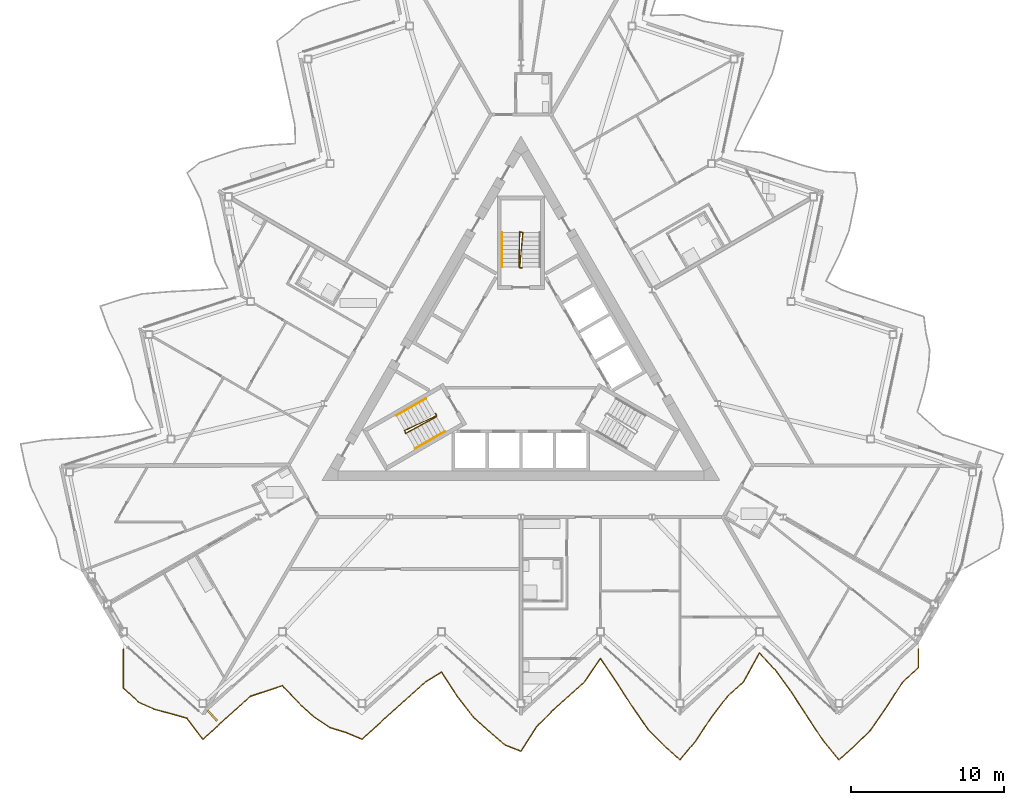
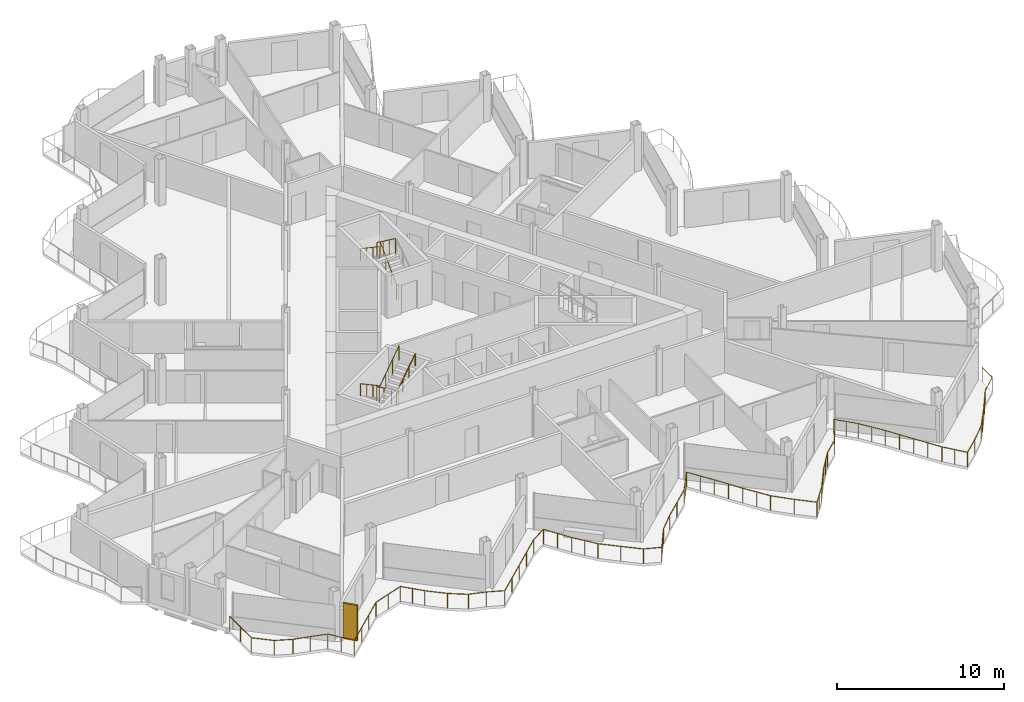
# One storey, part 21 of 26: 6 railings, 1 shading device.
"""IFC4 building model written with IfcOpenShell, lengths in metres."""

from ifc_helpers import new_model, si_unit, direction, frame, origin, origin_2d, place, context, subcontext, project, spatial, rectangle, circle, extrude, material, layer, layer_set, type_object, element, save


model = new_model("IFC4")

# Units and contexts
model_context = context("Model", 3, precision=1e-05, world=origin(), true_north=direction((0.0, 1.0)))
body_context = subcontext(model_context, "Body", "Model", "MODEL_VIEW")
ifc_project = project(units=[si_unit("LENGTHUNIT", "METRE"), si_unit("AREAUNIT", "SQUARE_METRE"), si_unit("VOLUMEUNIT", "CUBIC_METRE"), si_unit("PLANEANGLEUNIT", "RADIAN"), si_unit("MASSUNIT", "GRAM", prefix="KILO")], contexts=[model_context])

# Site, building, storey
site_placement = place(None, origin())
site = spatial("IfcSite", under=ifc_project, at=site_placement, CompositionType="ELEMENT")
building_placement = place(site_placement, origin())
building = spatial("IfcBuilding", under=site, at=building_placement, Name="Cormorant Prow Tower", CompositionType="ELEMENT")
storey_placement = place(building_placement, frame((0.0, 0.0, 364.39990234375)))
storey = spatial("IfcBuildingStorey", under=building, at=storey_placement, Name="L81", CompositionType="ELEMENT", Elevation=364.39990234375)

# Railings
ifc_material_1 = material(Name="Aluminium 6063-T6", Category="aluminium")
railing_type_1 = type_object("IfcRailingType", Name="Balcony guard 1100", PredefinedType="GUARDRAIL", material=ifc_material_1)
railing_1_placement = place(storey_placement, frame((-26.0, -18.537353515625, 0.0)))
element("IfcRailing", 1, at=railing_1_placement, inside=storey, type_object=railing_type_1, Name="Balcony guard S", PredefinedType="GUARDRAIL", context=body_context, shape_type="SweptSolid", body=[
    extrude(circle(Radius=0.02392578125, at=origin_2d()), frame((0.0, 0.0, 1.076171875), z_axis=(0.0, -1.0, 0.0), x_axis=(1.0, 0.0, 0.0)), (0.0, 0.0, 1.0), 2.570068359375),
    extrude(circle(Radius=0.02392578125, at=origin_2d()), frame((0.0, -2.570068359375, 1.076171875), z_axis=(0.743207391022, -0.669061113749, 0.0), x_axis=(0.669061113749, 0.743207391022, 0.0)), (0.0, 0.0, 1.0), 1.3994140625),
    extrude(circle(Radius=0.02392578125, at=origin_2d()), frame((1.0400390625, -3.50634765625, 1.076171875), z_axis=(0.916374427573, -0.400322255801, 0.0), x_axis=(0.400322255801, 0.916374427573, 0.0)), (0.0, 0.0, 1.0), 1.135009765625),
    extrude(circle(Radius=0.02392578125, at=origin_2d()), frame((2.080078125, -3.960693359375, 1.076171875), z_axis=(0.967634155285, -0.252357170545, 0.0), x_axis=(0.252357170545, 0.967634155285, 0.0)), (0.0, 0.0, 1.0), 1.07470703125),
    extrude(circle(Radius=0.02392578125, at=origin_2d()), frame((3.1201171875, -4.23193359375, 1.076171875), z_axis=(0.960857090041, -0.277044495555, 0.0), x_axis=(0.277044495555, 0.960857090041, 0.0)), (0.0, 0.0, 1.0), 1.082275390625),
    extrude(circle(Radius=0.02392578125, at=origin_2d()), frame((4.159912109375, -4.53173828125, 1.076171875), z_axis=(0.604554194416, -0.796564012502, 0.0), x_axis=(0.796564012502, 0.604554194416, 0.0)), (0.0, 0.0, 1.0), 1.720458984375),
    extrude(circle(Radius=0.02392578125, at=origin_2d()), frame((5.199951171875, -5.902099609375, 1.076171875), z_axis=(0.743120643554, 0.66915746213, 0.0), x_axis=(-0.66915746213, 0.743120643554, 0.0)), (0.0, 0.0, 1.0), 1.399658203125),
    extrude(circle(Radius=0.02392578125, at=origin_2d()), frame((6.239990234375, -4.965576171875, 1.076171875), z_axis=(0.743207391022, 0.669061113749, 0.0), x_axis=(-0.669061113749, 0.743207391022, 0.0)), (0.0, 0.0, 1.0), 1.3994140625),
    extrude(circle(Radius=0.02392578125, at=origin_2d()), frame((7.280029296875, -4.029296875, 1.076171875), z_axis=(0.743120643554, 0.66915746213, 0.0), x_axis=(-0.66915746213, 0.743120643554, 0.0)), (0.0, 0.0, 1.0), 1.399658203125),
    extrude(circle(Radius=0.02392578125, at=origin_2d()), frame((8.320068359375, -3.0927734375, 1.076171875), z_axis=(0.948616472905, 0.316428170891, 0.0), x_axis=(-0.316428170891, 0.948616472905, 0.0)), (0.0, 0.0, 1.0), 1.096435546875),
    extrude(circle(Radius=0.02392578125, at=origin_2d()), frame((9.360107421875, -2.745849609375, 1.076171875), z_axis=(0.949394211845, 0.314086979218, 0.0), x_axis=(-0.314086979218, 0.949394211845, 0.0)), (0.0, 0.0, 1.0), 1.09521484375),
    extrude(circle(Radius=0.02392578125, at=origin_2d()), frame((10.39990234375, -2.40185546875, 1.076171875), z_axis=(0.68554538763, -0.728029890526, 0.0), x_axis=(0.728029890526, 0.68554538763, 0.0)), (0.0, 0.0, 1.0), 1.51708984375),
    extrude(circle(Radius=0.02392578125, at=origin_2d()), frame((11.43994140625, -3.50634765625, 1.076171875), z_axis=(0.743120643554, -0.66915746213, 0.0), x_axis=(0.66915746213, 0.743120643554, 0.0)), (0.0, 0.0, 1.0), 1.399658203125),
    extrude(circle(Radius=0.02392578125, at=origin_2d()), frame((12.47998046875, -4.44287109375, 1.076171875), z_axis=(0.829344874262, -0.558737039702, 0.0), x_axis=(0.558737039702, 0.829344874262, 0.0)), (0.0, 0.0, 1.0), 1.254150390625),
    extrude(circle(Radius=0.02392578125, at=origin_2d()), frame((13.52001953125, -5.1435546875, 1.076171875), z_axis=(0.955448650181, -0.295157376441, 0.0), x_axis=(0.295157376441, 0.955448650181, 0.0)), (0.0, 0.0, 1.0), 1.088623046875),
    extrude(circle(Radius=0.02392578125, at=origin_2d()), frame((14.56005859375, -5.46484375, 1.076171875), z_axis=(0.92184298234, -0.387563563702, 0.0), x_axis=(0.387563563702, 0.92184298234, 0.0)), (0.0, 0.0, 1.0), 1.128173828125),
    extrude(circle(Radius=0.02392578125, at=origin_2d()), frame((15.60009765625, -5.902099609375, 1.076171875), z_axis=(0.74304251841, 0.669244212403, 0.0), x_axis=(-0.669244212403, 0.74304251841, 0.0)), (0.0, 0.0, 1.0), 1.3994140625),
    extrude(circle(Radius=0.02392578125, at=origin_2d()), frame((16.639892578125, -4.965576171875, 1.076171875), z_axis=(0.743207391022, 0.669061113749, 0.0), x_axis=(-0.669061113749, 0.743207391022, 0.0)), (0.0, 0.0, 1.0), 1.3994140625),
    extrude(circle(Radius=0.02392578125, at=origin_2d()), frame((17.679931640625, -4.029296875, 1.076171875), z_axis=(0.743120643554, 0.66915746213, 0.0), x_axis=(-0.66915746213, 0.743120643554, 0.0)), (0.0, 0.0, 1.0), 1.399658203125),
    extrude(circle(Radius=0.02392578125, at=origin_2d()), frame((18.719970703125, -3.0927734375, 1.076171875), z_axis=(0.743207391022, 0.669061113749, 0.0), x_axis=(-0.669061113749, 0.743207391022, 0.0)), (0.0, 0.0, 1.0), 1.3994140625),
    extrude(circle(Radius=0.02392578125, at=origin_2d()), frame((19.760009765625, -2.156494140625, 1.076171875), z_axis=(0.850992323879, 0.525178126638, 0.0), x_axis=(-0.525178126638, 0.850992323879, 0.0)), (0.0, 0.0, 1.0), 1.22216796875),
    extrude(circle(Radius=0.02392578125, at=origin_2d()), frame((20.800048828125, -1.5146484375, 1.076171875), z_axis=(0.547384374412, -0.836881321724, 0.0), x_axis=(0.836881321724, 0.547384374412, 0.0)), (0.0, 0.0, 1.0), 1.89990234375),
    extrude(circle(Radius=0.02392578125, at=origin_2d()), frame((21.840087890625, -3.104736328125, 1.076171875), z_axis=(0.613581490625, -0.789631404113, 0.0), x_axis=(0.789631404113, 0.613581490625, 0.0)), (0.0, 0.0, 1.0), 1.694580078125),
    extrude(circle(Radius=0.02392578125, at=origin_2d()), frame((22.8798828125, -4.44287109375, 1.076171875), z_axis=(0.743207391022, -0.669061113749, 0.0), x_axis=(0.669061113749, 0.743207391022, 0.0)), (0.0, 0.0, 1.0), 1.3994140625),
    extrude(circle(Radius=0.02392578125, at=origin_2d()), frame((23.919921875, -5.379150390625, 1.076171875), z_axis=(0.755601290765, -0.655031823192, 0.0), x_axis=(0.655031823192, 0.755601290765, 0.0)), (0.0, 0.0, 1.0), 1.37646484375),
    extrude(circle(Radius=0.02392578125, at=origin_2d()), frame((24.9599609375, -6.28076171875, 1.076171875), z_axis=(0.931610131037, -0.363459163799, 0.0), x_axis=(0.363459163799, 0.931610131037, 0.0)), (0.0, 0.0, 1.0), 1.116455078125),
    extrude(circle(Radius=0.02392578125, at=origin_2d()), frame((26.0, -6.6865234375, 1.076171875), z_axis=(0.54270708982, 0.839922028916, 0.0), x_axis=(-0.839922028916, 0.54270708982, 0.0)), (0.0, 0.0, 1.0), 1.91650390625),
    extrude(circle(Radius=0.02392578125, at=origin_2d()), frame((27.0400390625, -5.076904296875, 1.076171875), z_axis=(0.704538672228, 0.709665596838, 0.0), x_axis=(-0.709665596838, 0.704538672228, 0.0)), (0.0, 0.0, 1.0), 1.476318359375),
    extrude(circle(Radius=0.02392578125, at=origin_2d()), frame((28.080078125, -4.029296875, 1.076171875), z_axis=(0.743120643554, 0.66915746213, 0.0), x_axis=(-0.66915746213, 0.743120643554, 0.0)), (0.0, 0.0, 1.0), 1.399658203125),
    extrude(circle(Radius=0.02392578125, at=origin_2d()), frame((29.1201171875, -3.0927734375, 1.076171875), z_axis=(0.743129279254, 0.669147871786, 0.0), x_axis=(-0.669147871786, 0.743129279254, 0.0)), (0.0, 0.0, 1.0), 1.399169921875),
    extrude(circle(Radius=0.02392578125, at=origin_2d()), frame((30.159912109375, -2.156494140625, 1.076171875), z_axis=(0.563152221861, 0.826353178135, 0.0), x_axis=(-0.826353178135, 0.563152221861, 0.0)), (0.0, 0.0, 1.0), 1.846923828125),
    extrude(circle(Radius=0.02392578125, at=origin_2d()), frame((31.199951171875, -0.63037109375, 1.076171875), z_axis=(0.563152221861, -0.826353178135, 0.0), x_axis=(0.826353178135, 0.563152221861, 0.0)), (0.0, 0.0, 1.0), 1.846923828125),
    extrude(circle(Radius=0.02392578125, at=origin_2d()), frame((32.239990234375, -2.156494140625, 1.076171875), z_axis=(0.541547631663, -0.840670067649, 0.0), x_axis=(0.840670067649, 0.541547631663, 0.0)), (0.0, 0.0, 1.0), 1.92041015625),
    extrude(circle(Radius=0.02392578125, at=origin_2d()), frame((33.280029296875, -3.77099609375, 1.076171875), z_axis=(0.569043261498, -0.822307586334, 0.0), x_axis=(0.822307586334, 0.569043261498, 0.0)), (0.0, 0.0, 1.0), 1.82763671875),
    extrude(circle(Radius=0.02392578125, at=origin_2d()), frame((34.320068359375, -5.27392578125, 1.076171875), z_axis=(0.706526063762, -0.707687022083, 0.0), x_axis=(0.707687022083, 0.706526063762, 0.0)), (0.0, 0.0, 1.0), 1.47216796875),
    extrude(circle(Radius=0.02392578125, at=origin_2d()), frame((35.360107421875, -6.315673828125, 1.076171875), z_axis=(0.743129279254, -0.669147871786, 0.0), x_axis=(0.669147871786, 0.743129279254, 0.0)), (0.0, 0.0, 1.0), 1.399169921875),
    extrude(circle(Radius=0.02392578125, at=origin_2d()), frame((36.39990234375, -7.251953125, 1.076171875), z_axis=(0.641442431964, 0.767171171562, 0.0), x_axis=(-0.767171171562, 0.641442431964, 0.0)), (0.0, 0.0, 1.0), 1.621337890625),
    extrude(circle(Radius=0.02392578125, at=origin_2d()), frame((37.43994140625, -6.008056640625, 1.076171875), z_axis=(0.552065689111, 0.833800620596, 0.0), x_axis=(-0.833800620596, 0.552065689111, 0.0)), (0.0, 0.0, 1.0), 1.8837890625),
    extrude(circle(Radius=0.02392578125, at=origin_2d()), frame((38.47998046875, -4.437255859375, 1.076171875), z_axis=(0.611860282044, 0.790965862258, 0.0), x_axis=(-0.790965862258, 0.611860282044, 0.0)), (0.0, 0.0, 1.0), 1.69970703125),
    extrude(circle(Radius=0.02392578125, at=origin_2d()), frame((39.52001953125, -3.0927734375, 1.076171875), z_axis=(0.743207391022, 0.669061113749, 0.0), x_axis=(-0.669061113749, 0.743207391022, 0.0)), (0.0, 0.0, 1.0), 1.3994140625),
    extrude(circle(Radius=0.02392578125, at=origin_2d()), frame((40.56005859375, -2.156494140625, 1.076171875), z_axis=(0.48280168143, 0.875729716527, 0.0), x_axis=(-0.875729716527, 0.48280168143, 0.0)), (0.0, 0.0, 1.0), 2.154052734375),
    extrude(circle(Radius=0.02392578125, at=origin_2d()), frame((41.60009765625, -0.27001953125, 1.076171875), z_axis=(0.682015798923, -0.73133743923, 0.0), x_axis=(0.73133743923, 0.682015798923, 0.0)), (0.0, 0.0, 1.0), 1.524658203125),
    extrude(circle(Radius=0.02392578125, at=origin_2d()), frame((42.639892578125, -1.385009765625, 1.076171875), z_axis=(0.588073196089, -0.80880771265, 0.0), x_axis=(0.80880771265, 0.588073196089, 0.0)), (0.0, 0.0, 1.0), 1.7685546875),
    extrude(circle(Radius=0.02392578125, at=origin_2d()), frame((43.679931640625, -2.8154296875, 1.076171875), z_axis=(0.54486246552, -0.838525428158, 0.0), x_axis=(0.838525428158, 0.54486246552, 0.0)), (0.0, 0.0, 1.0), 1.90869140625),
    extrude(circle(Radius=0.02392578125, at=origin_2d()), frame((44.719970703125, -4.416015625, 1.076171875), z_axis=(0.551053037162, -0.834470221299, 0.0), x_axis=(0.834470221299, 0.551053037162, 0.0)), (0.0, 0.0, 1.0), 1.887451171875),
    extrude(circle(Radius=0.02392578125, at=origin_2d()), frame((45.760009765625, -5.990966796875, 1.076171875), z_axis=(0.636282967316, -0.771455757321, 0.0), x_axis=(0.771455757321, 0.636282967316, 0.0)), (0.0, 0.0, 1.0), 1.634521484375),
    extrude(circle(Radius=0.02392578125, at=origin_2d()), frame((46.800048828125, -7.251953125, 1.076171875), z_axis=(0.743207391022, 0.669061113749, 0.0), x_axis=(-0.669061113749, 0.743207391022, 0.0)), (0.0, 0.0, 1.0), 1.3994140625),
    extrude(circle(Radius=0.02392578125, at=origin_2d()), frame((47.840087890625, -6.315673828125, 1.076171875), z_axis=(0.711186061017, 0.703003831153, 0.0), x_axis=(-0.703003831153, 0.711186061017, 0.0)), (0.0, 0.0, 1.0), 1.462158203125),
    extrude(circle(Radius=0.02392578125, at=origin_2d()), frame((48.8798828125, -5.287841796875, 1.076171875), z_axis=(0.570671927057, 0.821178148558, 0.0), x_axis=(-0.821178148558, 0.570671927057, 0.0)), (0.0, 0.0, 1.0), 1.822509765625),
    extrude(circle(Radius=0.02392578125, at=origin_2d()), frame((49.919921875, -3.791259765625, 1.076171875), z_axis=(0.541663400819, 0.840595479534, 0.0), x_axis=(-0.840595479534, 0.541663400819, 0.0)), (0.0, 0.0, 1.0), 1.920166015625),
    extrude(circle(Radius=0.02392578125, at=origin_2d()), frame((50.9599609375, -2.17724609375, 1.076171875), z_axis=(0.735776085654, 0.677224890106, 0.0), x_axis=(-0.677224890106, 0.735776085654, 0.0)), (0.0, 0.0, 1.0), 1.41357421875),
    extrude(circle(Radius=0.02392578125, at=origin_2d()), frame((52.0, -1.219970703125, 1.076171875), z_axis=(0.0, 1.0, 0.0), x_axis=(-1.0, 0.0, 0.0)), (0.0, 0.0, 1.0), 1.219970703125),
    extrude(circle(Radius=0.02099609375, at=origin_2d()), origin(), (0.0, 0.0, 1.0), 1.052001953125),
    extrude(circle(Radius=0.02099609375, at=origin_2d()), frame((0.0, -1.28515625, 0.0)), (0.0, 0.0, 1.0), 1.052001953125),
    extrude(circle(Radius=0.02099609375, at=origin_2d()), frame((0.0, -2.570068359375, 0.0)), (0.0, 0.0, 1.0), 1.052001953125),
    extrude(circle(Radius=0.02099609375, at=origin_2d()), frame((1.0400390625, -3.50634765625, 0.0)), (0.0, 0.0, 1.0), 1.052001953125),
    extrude(circle(Radius=0.02099609375, at=origin_2d()), frame((2.080078125, -3.960693359375, 0.0)), (0.0, 0.0, 1.0), 1.052001953125),
    extrude(circle(Radius=0.02099609375, at=origin_2d()), frame((3.1201171875, -4.23193359375, 0.0)), (0.0, 0.0, 1.0), 1.052001953125),
    extrude(circle(Radius=0.02099609375, at=origin_2d()), frame((4.159912109375, -4.53173828125, 0.0)), (0.0, 0.0, 1.0), 1.052001953125),
    extrude(circle(Radius=0.02099609375, at=origin_2d()), frame((4.679931640625, -5.216796875, 0.0)), (0.0, 0.0, 1.0), 1.052001953125),
    extrude(circle(Radius=0.02099609375, at=origin_2d()), frame((5.199951171875, -5.902099609375, 0.0)), (0.0, 0.0, 1.0), 1.052001953125),
    extrude(circle(Radius=0.02099609375, at=origin_2d()), frame((6.239990234375, -4.965576171875, 0.0)), (0.0, 0.0, 1.0), 1.052001953125),
    extrude(circle(Radius=0.02099609375, at=origin_2d()), frame((7.280029296875, -4.029296875, 0.0)), (0.0, 0.0, 1.0), 1.052001953125),
    extrude(circle(Radius=0.02099609375, at=origin_2d()), frame((8.320068359375, -3.0927734375, 0.0)), (0.0, 0.0, 1.0), 1.052001953125),
    extrude(circle(Radius=0.02099609375, at=origin_2d()), frame((9.360107421875, -2.745849609375, 0.0)), (0.0, 0.0, 1.0), 1.052001953125),
    extrude(circle(Radius=0.02099609375, at=origin_2d()), frame((10.39990234375, -2.40185546875, 0.0)), (0.0, 0.0, 1.0), 1.052001953125),
    extrude(circle(Radius=0.02099609375, at=origin_2d()), frame((10.919921875, -2.9541015625, 0.0)), (0.0, 0.0, 1.0), 1.052001953125),
    extrude(circle(Radius=0.02099609375, at=origin_2d()), frame((11.43994140625, -3.50634765625, 0.0)), (0.0, 0.0, 1.0), 1.052001953125),
    extrude(circle(Radius=0.02099609375, at=origin_2d()), frame((12.47998046875, -4.44287109375, 0.0)), (0.0, 0.0, 1.0), 1.052001953125),
    extrude(circle(Radius=0.02099609375, at=origin_2d()), frame((13.52001953125, -5.1435546875, 0.0)), (0.0, 0.0, 1.0), 1.052001953125),
    extrude(circle(Radius=0.02099609375, at=origin_2d()), frame((14.56005859375, -5.46484375, 0.0)), (0.0, 0.0, 1.0), 1.052001953125),
    extrude(circle(Radius=0.02099609375, at=origin_2d()), frame((15.60009765625, -5.902099609375, 0.0)), (0.0, 0.0, 1.0), 1.052001953125),
    extrude(circle(Radius=0.02099609375, at=origin_2d()), frame((16.639892578125, -4.965576171875, 0.0)), (0.0, 0.0, 1.0), 1.052001953125),
    extrude(circle(Radius=0.02099609375, at=origin_2d()), frame((17.679931640625, -4.029296875, 0.0)), (0.0, 0.0, 1.0), 1.052001953125),
    extrude(circle(Radius=0.02099609375, at=origin_2d()), frame((18.719970703125, -3.0927734375, 0.0)), (0.0, 0.0, 1.0), 1.052001953125),
    extrude(circle(Radius=0.02099609375, at=origin_2d()), frame((19.760009765625, -2.156494140625, 0.0)), (0.0, 0.0, 1.0), 1.052001953125),
    extrude(circle(Radius=0.02099609375, at=origin_2d()), frame((20.800048828125, -1.5146484375, 0.0)), (0.0, 0.0, 1.0), 1.052001953125),
    extrude(circle(Radius=0.02099609375, at=origin_2d()), frame((21.320068359375, -2.3095703125, 0.0)), (0.0, 0.0, 1.0), 1.052001953125),
    extrude(circle(Radius=0.02099609375, at=origin_2d()), frame((21.840087890625, -3.104736328125, 0.0)), (0.0, 0.0, 1.0), 1.052001953125),
    extrude(circle(Radius=0.02099609375, at=origin_2d()), frame((22.35986328125, -3.77392578125, 0.0)), (0.0, 0.0, 1.0), 1.052001953125),
    extrude(circle(Radius=0.02099609375, at=origin_2d()), frame((22.8798828125, -4.44287109375, 0.0)), (0.0, 0.0, 1.0), 1.052001953125),
    extrude(circle(Radius=0.02099609375, at=origin_2d()), frame((23.919921875, -5.379150390625, 0.0)), (0.0, 0.0, 1.0), 1.052001953125),
    extrude(circle(Radius=0.02099609375, at=origin_2d()), frame((24.9599609375, -6.28076171875, 0.0)), (0.0, 0.0, 1.0), 1.052001953125),
    extrude(circle(Radius=0.02099609375, at=origin_2d()), frame((26.0, -6.6865234375, 0.0)), (0.0, 0.0, 1.0), 1.052001953125),
    extrude(circle(Radius=0.02099609375, at=origin_2d()), frame((26.52001953125, -5.8818359375, 0.0)), (0.0, 0.0, 1.0), 1.052001953125),
    extrude(circle(Radius=0.02099609375, at=origin_2d()), frame((27.0400390625, -5.076904296875, 0.0)), (0.0, 0.0, 1.0), 1.052001953125),
    extrude(circle(Radius=0.02099609375, at=origin_2d()), frame((28.080078125, -4.029296875, 0.0)), (0.0, 0.0, 1.0), 1.052001953125),
    extrude(circle(Radius=0.02099609375, at=origin_2d()), frame((29.1201171875, -3.0927734375, 0.0)), (0.0, 0.0, 1.0), 1.052001953125),
    extrude(circle(Radius=0.02099609375, at=origin_2d()), frame((30.159912109375, -2.156494140625, 0.0)), (0.0, 0.0, 1.0), 1.052001953125),
    extrude(circle(Radius=0.02099609375, at=origin_2d()), frame((30.679931640625, -1.3935546875, 0.0)), (0.0, 0.0, 1.0), 1.052001953125),
    extrude(circle(Radius=0.02099609375, at=origin_2d()), frame((31.199951171875, -0.63037109375, 0.0)), (0.0, 0.0, 1.0), 1.052001953125),
    extrude(circle(Radius=0.02099609375, at=origin_2d()), frame((31.719970703125, -1.3935546875, 0.0)), (0.0, 0.0, 1.0), 1.052001953125),
    extrude(circle(Radius=0.02099609375, at=origin_2d()), frame((32.239990234375, -2.156494140625, 0.0)), (0.0, 0.0, 1.0), 1.052001953125),
    extrude(circle(Radius=0.02099609375, at=origin_2d()), frame((32.760009765625, -2.9638671875, 0.0)), (0.0, 0.0, 1.0), 1.052001953125),
    extrude(circle(Radius=0.02099609375, at=origin_2d()), frame((33.280029296875, -3.77099609375, 0.0)), (0.0, 0.0, 1.0), 1.052001953125),
    extrude(circle(Radius=0.02099609375, at=origin_2d()), frame((33.800048828125, -4.5224609375, 0.0)), (0.0, 0.0, 1.0), 1.052001953125),
    extrude(circle(Radius=0.02099609375, at=origin_2d()), frame((34.320068359375, -5.27392578125, 0.0)), (0.0, 0.0, 1.0), 1.052001953125),
    extrude(circle(Radius=0.02099609375, at=origin_2d()), frame((35.360107421875, -6.315673828125, 0.0)), (0.0, 0.0, 1.0), 1.052001953125),
    extrude(circle(Radius=0.02099609375, at=origin_2d()), frame((36.39990234375, -7.251953125, 0.0)), (0.0, 0.0, 1.0), 1.052001953125),
    extrude(circle(Radius=0.02099609375, at=origin_2d()), frame((36.919921875, -6.6298828125, 0.0)), (0.0, 0.0, 1.0), 1.052001953125),
    extrude(circle(Radius=0.02099609375, at=origin_2d()), frame((37.43994140625, -6.008056640625, 0.0)), (0.0, 0.0, 1.0), 1.052001953125),
    extrude(circle(Radius=0.02099609375, at=origin_2d()), frame((37.9599609375, -5.22265625, 0.0)), (0.0, 0.0, 1.0), 1.052001953125),
    extrude(circle(Radius=0.02099609375, at=origin_2d()), frame((38.47998046875, -4.437255859375, 0.0)), (0.0, 0.0, 1.0), 1.052001953125),
    extrude(circle(Radius=0.02099609375, at=origin_2d()), frame((39.0, -3.76513671875, 0.0)), (0.0, 0.0, 1.0), 1.052001953125),
    extrude(circle(Radius=0.02099609375, at=origin_2d()), frame((39.52001953125, -3.0927734375, 0.0)), (0.0, 0.0, 1.0), 1.052001953125),
    extrude(circle(Radius=0.02099609375, at=origin_2d()), frame((40.56005859375, -2.156494140625, 0.0)), (0.0, 0.0, 1.0), 1.052001953125),
    extrude(circle(Radius=0.02099609375, at=origin_2d()), frame((41.080078125, -1.21337890625, 0.0)), (0.0, 0.0, 1.0), 1.052001953125),
    extrude(circle(Radius=0.02099609375, at=origin_2d()), frame((41.60009765625, -0.27001953125, 0.0)), (0.0, 0.0, 1.0), 1.052001953125),
    extrude(circle(Radius=0.02099609375, at=origin_2d()), frame((42.1201171875, -0.82763671875, 0.0)), (0.0, 0.0, 1.0), 1.052001953125),
    extrude(circle(Radius=0.02099609375, at=origin_2d()), frame((42.639892578125, -1.385009765625, 0.0)), (0.0, 0.0, 1.0), 1.052001953125),
    extrude(circle(Radius=0.02099609375, at=origin_2d()), frame((43.159912109375, -2.10009765625, 0.0)), (0.0, 0.0, 1.0), 1.052001953125),
    extrude(circle(Radius=0.02099609375, at=origin_2d()), frame((43.679931640625, -2.8154296875, 0.0)), (0.0, 0.0, 1.0), 1.052001953125),
    extrude(circle(Radius=0.02099609375, at=origin_2d()), frame((44.199951171875, -3.61572265625, 0.0)), (0.0, 0.0, 1.0), 1.052001953125),
    extrude(circle(Radius=0.02099609375, at=origin_2d()), frame((44.719970703125, -4.416015625, 0.0)), (0.0, 0.0, 1.0), 1.052001953125),
    extrude(circle(Radius=0.02099609375, at=origin_2d()), frame((45.239990234375, -5.20361328125, 0.0)), (0.0, 0.0, 1.0), 1.052001953125),
    extrude(circle(Radius=0.02099609375, at=origin_2d()), frame((45.760009765625, -5.990966796875, 0.0)), (0.0, 0.0, 1.0), 1.052001953125),
    extrude(circle(Radius=0.02099609375, at=origin_2d()), frame((46.280029296875, -6.62158203125, 0.0)), (0.0, 0.0, 1.0), 1.052001953125),
    extrude(circle(Radius=0.02099609375, at=origin_2d()), frame((46.800048828125, -7.251953125, 0.0)), (0.0, 0.0, 1.0), 1.052001953125),
    extrude(circle(Radius=0.02099609375, at=origin_2d()), frame((47.840087890625, -6.315673828125, 0.0)), (0.0, 0.0, 1.0), 1.052001953125),
    extrude(circle(Radius=0.02099609375, at=origin_2d()), frame((48.8798828125, -5.287841796875, 0.0)), (0.0, 0.0, 1.0), 1.052001953125),
    extrude(circle(Radius=0.02099609375, at=origin_2d()), frame((49.39990234375, -4.53955078125, 0.0)), (0.0, 0.0, 1.0), 1.052001953125),
    extrude(circle(Radius=0.02099609375, at=origin_2d()), frame((49.919921875, -3.791259765625, 0.0)), (0.0, 0.0, 1.0), 1.052001953125),
    extrude(circle(Radius=0.02099609375, at=origin_2d()), frame((50.43994140625, -2.984375, 0.0)), (0.0, 0.0, 1.0), 1.052001953125),
    extrude(circle(Radius=0.02099609375, at=origin_2d()), frame((50.9599609375, -2.17724609375, 0.0)), (0.0, 0.0, 1.0), 1.052001953125),
    extrude(circle(Radius=0.02099609375, at=origin_2d()), frame((52.0, -1.219970703125, 0.0)), (0.0, 0.0, 1.0), 1.052001953125),
    extrude(circle(Radius=0.02099609375, at=origin_2d()), frame((52.0, 0.0, 0.0)), (0.0, 0.0, 1.0), 1.052001953125),
])
ifc_material_2 = material(Name="Stainless steel", Category="steel")
railing_type_2 = type_object("IfcRailingType", Name="Stair guard 1100", PredefinedType="GUARDRAIL", material=ifc_material_2)
railing_2_placement = place(storey_placement, frame((-5.585205078125, -3.137939453125, 0.0)))
element("IfcRailing", 2, at=railing_2_placement, inside=storey, type_object=railing_type_2, Name="L81 ST1 stair guard 1", PredefinedType="GUARDRAIL", context=body_context, shape_type="SweptSolid", body=[
    extrude(circle(Radius=0.02392578125, at=origin_2d()), frame((0.0, 0.0, 1.076171875), z_axis=(0.501036270542, -0.865426285481, 0.0), x_axis=(0.865426285481, 0.501036270542, 0.0)), (0.0, 0.0, 1.0), 0.150146484375),
    extrude(circle(Radius=0.02392578125, at=origin_2d()), frame((0.0751953125, -0.1298828125, 1.076171875), z_axis=(-0.728604041492, -0.3399241403, 0.594632432316), x_axis=(0.422792438952, -0.906226546491, 0.0)), (0.0, 0.0, 1.0), 2.859130859375),
    extrude(circle(Radius=0.02392578125, at=origin_2d()), frame((-2.008056640625, -1.101806640625, 2.7763671875), z_axis=(0.275034262293, -0.961434425515, 0.0), x_axis=(0.961434425515, 0.275034262293, 0.0)), (0.0, 0.0, 1.0), 0.2060546875),
    extrude(circle(Radius=0.02392578125, at=origin_2d()), frame((-1.951416015625, -1.2998046875, 2.7763671875), z_axis=(0.704058451865, 0.386179398835, 0.595959032378), x_axis=(-0.480911908544, 0.87676891837, 0.0)), (0.0, 0.0, 1.0), 2.8525390625),
    extrude(circle(Radius=0.02099609375, at=origin_2d()), origin(), (0.0, 0.0, 1.0), 1.052001953125),
    extrude(circle(Radius=0.02099609375, at=origin_2d()), frame((0.0751953125, -0.1298828125, 0.0)), (0.0, 0.0, 1.0), 1.052001953125),
    extrude(circle(Radius=0.02099609375, at=origin_2d()), frame((-0.619140625, -0.453857421875, 0.566650390625)), (0.0, 0.0, 1.0), 1.052001953125),
    extrude(circle(Radius=0.02099609375, at=origin_2d()), frame((-1.313720703125, -0.77783203125, 1.133544921875)), (0.0, 0.0, 1.0), 1.052001953125),
    extrude(circle(Radius=0.02099609375, at=origin_2d()), frame((-2.008056640625, -1.101806640625, 1.7001953125)), (0.0, 0.0, 1.0), 1.052001953125),
    extrude(circle(Radius=0.02099609375, at=origin_2d()), frame((-1.951416015625, -1.2998046875, 1.7001953125)), (0.0, 0.0, 1.0), 1.052001953125),
    extrude(circle(Radius=0.02099609375, at=origin_2d()), frame((-1.281982421875, -0.9326171875, 2.266845703125)), (0.0, 0.0, 1.0), 1.052001953125),
    extrude(circle(Radius=0.02099609375, at=origin_2d()), frame((-0.612548828125, -0.5654296875, 2.83349609375)), (0.0, 0.0, 1.0), 1.052001953125),
    extrude(circle(Radius=0.02099609375, at=origin_2d()), frame((0.056884765625, -0.1982421875, 3.400146484375)), (0.0, 0.0, 1.0), 1.052001953125),
])
railing_3_placement = place(storey_placement, frame((0.074951171875, 6.40576171875, 0.0)))
element("IfcRailing", 3, at=railing_3_placement, inside=storey, type_object=railing_type_2, Name="L81 ST3 stair guard 1", PredefinedType="GUARDRAIL", context=body_context, shape_type="SweptSolid", body=[
    extrude(circle(Radius=0.02392578125, at=origin_2d()), frame((0.0, 0.0, 1.076171875), z_axis=(-1.0, 0.0, 0.0), x_axis=(0.0, -1.0, 0.0)), (0.0, 0.0, 1.0), 0.14990234375),
    extrude(circle(Radius=0.02392578125, at=origin_2d()), frame((-0.14990234375, 0.0, 1.076171875), z_axis=(0.069932991402, 0.800941952812, 0.594643897589), x_axis=(-0.996209839609, 0.086982500921, 0.0)), (0.0, 0.0, 1.0), 2.859130859375),
    extrude(circle(Radius=0.02392578125, at=origin_2d()), frame((0.050048828125, 2.2900390625, 2.7763671875), z_axis=(-0.970072785993, 0.242814311512, 0.0), x_axis=(-0.242814311512, -0.970072785993, 0.0)), (0.0, 0.0, 1.0), 0.2060546875),
    extrude(circle(Radius=0.02392578125, at=origin_2d()), frame((-0.14990234375, 2.340087890625, 2.7763671875), z_axis=(-0.017545750742, -0.80282508275, 0.595956402045), x_axis=(0.999761264773, -0.0218497931, 0.0)), (0.0, 0.0, 1.0), 2.8525390625),
    extrude(circle(Radius=0.02099609375, at=origin_2d()), origin(), (0.0, 0.0, 1.0), 1.052001953125),
    extrude(circle(Radius=0.02099609375, at=origin_2d()), frame((-0.14990234375, 0.0, 0.0)), (0.0, 0.0, 1.0), 1.052001953125),
    extrude(circle(Radius=0.02099609375, at=origin_2d()), frame((-0.083251953125, 0.763427734375, 0.566650390625)), (0.0, 0.0, 1.0), 1.052001953125),
    extrude(circle(Radius=0.02099609375, at=origin_2d()), frame((-0.0166015625, 1.526611328125, 1.133544921875)), (0.0, 0.0, 1.0), 1.052001953125),
    extrude(circle(Radius=0.02099609375, at=origin_2d()), frame((0.050048828125, 2.2900390625, 1.7001953125)), (0.0, 0.0, 1.0), 1.052001953125),
    extrude(circle(Radius=0.02099609375, at=origin_2d()), frame((-0.14990234375, 2.340087890625, 1.7001953125)), (0.0, 0.0, 1.0), 1.052001953125),
    extrude(circle(Radius=0.02099609375, at=origin_2d()), frame((-0.16650390625, 1.57666015625, 2.266845703125)), (0.0, 0.0, 1.0), 1.052001953125),
    extrude(circle(Radius=0.02099609375, at=origin_2d()), frame((-0.183349609375, 0.8134765625, 2.83349609375)), (0.0, 0.0, 1.0), 1.052001953125),
    extrude(circle(Radius=0.02099609375, at=origin_2d()), frame((-0.199951171875, 0.050048828125, 3.400146484375)), (0.0, 0.0, 1.0), 1.052001953125),
])
ifc_material_3 = material(Name="Stainless steel", Category="steel")
railing_type_3 = type_object("IfcRailingType", Name="Stair handrail 900", PredefinedType="HANDRAIL", material=ifc_material_3)
railing_4_placement = place(storey_placement, frame((-6.212890625, -2.150634765625, 0.18896484375)))
element("IfcRailing", 4, at=railing_4_placement, inside=storey, type_object=railing_type_3, Name="L81 ST1 stair handrail 1", PredefinedType="HANDRAIL", context=body_context, shape_type="SweptSolid", body=[
    extrude(circle(Radius=0.02392578125, at=origin_2d()), frame((0.0, 0.0, 0.8759765625), z_axis=(-0.717940317343, -0.414446543626, 0.55928147047), x_axis=(0.49994888933, -0.866054910533, 0.0)), (0.0, 0.0, 1.0), 2.7021484375),
    extrude(circle(Radius=0.02099609375, at=origin_2d()), origin(), (0.0, 0.0, 1.0), 0.851806640625),
    extrude(circle(Radius=0.02099609375, at=origin_2d()), frame((-0.646728515625, -0.373291015625, 0.503662109375)), (0.0, 0.0, 1.0), 0.851806640625),
    extrude(circle(Radius=0.02099609375, at=origin_2d()), frame((-1.293212890625, -0.74658203125, 1.007568359375)), (0.0, 0.0, 1.0), 0.851806640625),
    extrude(circle(Radius=0.02099609375, at=origin_2d()), frame((-1.93994140625, -1.119873046875, 1.51123046875)), (0.0, 0.0, 1.0), 0.851806640625),
])
railing_5_placement = place(storey_placement, frame((-6.90869140625, -5.42529296875, 1.888916015625)))
element("IfcRailing", 5, at=railing_5_placement, inside=storey, type_object=railing_type_3, Name="L81 ST1 stair handrail 2", PredefinedType="HANDRAIL", context=body_context, shape_type="SweptSolid", body=[
    extrude(circle(Radius=0.02392578125, at=origin_2d()), frame((0.0, 0.0, 0.8759765625), z_axis=(0.717869644322, 0.414548260308, 0.559296802813), x_axis=(-0.500077830873, 0.865980463445, 0.0)), (0.0, 0.0, 1.0), 2.701904296875),
    extrude(circle(Radius=0.02099609375, at=origin_2d()), origin(), (0.0, 0.0, 1.0), 0.851806640625),
    extrude(circle(Radius=0.02099609375, at=origin_2d()), frame((0.646484375, 0.373291015625, 0.503662109375)), (0.0, 0.0, 1.0), 0.851806640625),
    extrude(circle(Radius=0.02099609375, at=origin_2d()), frame((1.293212890625, 0.746826171875, 1.007568359375)), (0.0, 0.0, 1.0), 0.851806640625),
    extrude(circle(Radius=0.02099609375, at=origin_2d()), frame((1.939697265625, 1.1201171875, 1.51123046875)), (0.0, 0.0, 1.0), 0.851806640625),
])
railing_6_placement = place(storey_placement, frame((-1.243896484375, 8.69580078125, 1.888916015625)))
element("IfcRailing", 6, at=railing_6_placement, inside=storey, type_object=railing_type_3, Name="L81 ST3 stair handrail 2", PredefinedType="HANDRAIL", context=body_context, shape_type="SweptSolid", body=[
    extrude(circle(Radius=0.02392578125, at=origin_2d()), frame((0.0, 0.0, 0.8759765625), z_axis=(0.0, -0.828979582247, 0.559278868023), x_axis=(1.0, 0.0, 0.0)), (0.0, 0.0, 1.0), 2.7021484375),
    extrude(circle(Radius=0.02099609375, at=origin_2d()), origin(), (0.0, 0.0, 1.0), 0.851806640625),
    extrude(circle(Radius=0.02099609375, at=origin_2d()), frame((0.0, -0.74658203125, 0.503662109375)), (0.0, 0.0, 1.0), 0.851806640625),
    extrude(circle(Radius=0.02099609375, at=origin_2d()), frame((0.0, -1.493408203125, 1.007568359375)), (0.0, 0.0, 1.0), 0.851806640625),
    extrude(circle(Radius=0.02099609375, at=origin_2d()), frame((0.0, -2.239990234375, 1.51123046875)), (0.0, 0.0, 1.0), 0.851806640625),
])

# Shading device
ifc_material_4 = material(Name="Terracotta", Category="masonry")
ifc_layer = layer(ifc_material_4, 0.1201171875)
ifc_layer_set = layer_set([ifc_layer], Name="Terracotta")
shading_device_type = type_object("IfcShadingDeviceType", Name="Terracotta baguette fin 120x900x2600", PredefinedType="USERDEFINED", material=ifc_layer_set)
shading_device_placement = place(storey_placement, frame((-20.182373046875, -22.888916015625, 0.0), z_axis=(0.0, 0.0, 1.0), x_axis=(0.743144756574, 0.669130682884, 0.0)))
element("IfcShadingDevice", 7, at=shading_device_placement, inside=storey, type_object=shading_device_type, Name="Baguette fin S01", ObjectType="BAGUETTE", PredefinedType="USERDEFINED", context=body_context, shape_type="SweptSolid", body=[
    extrude(rectangle(XDim=0.1201171875, YDim=0.89990234375, at=origin_2d()), origin(), (0.0, 0.0, 1.0), 2.60009765625),
])

save(model, "model.ifc")
